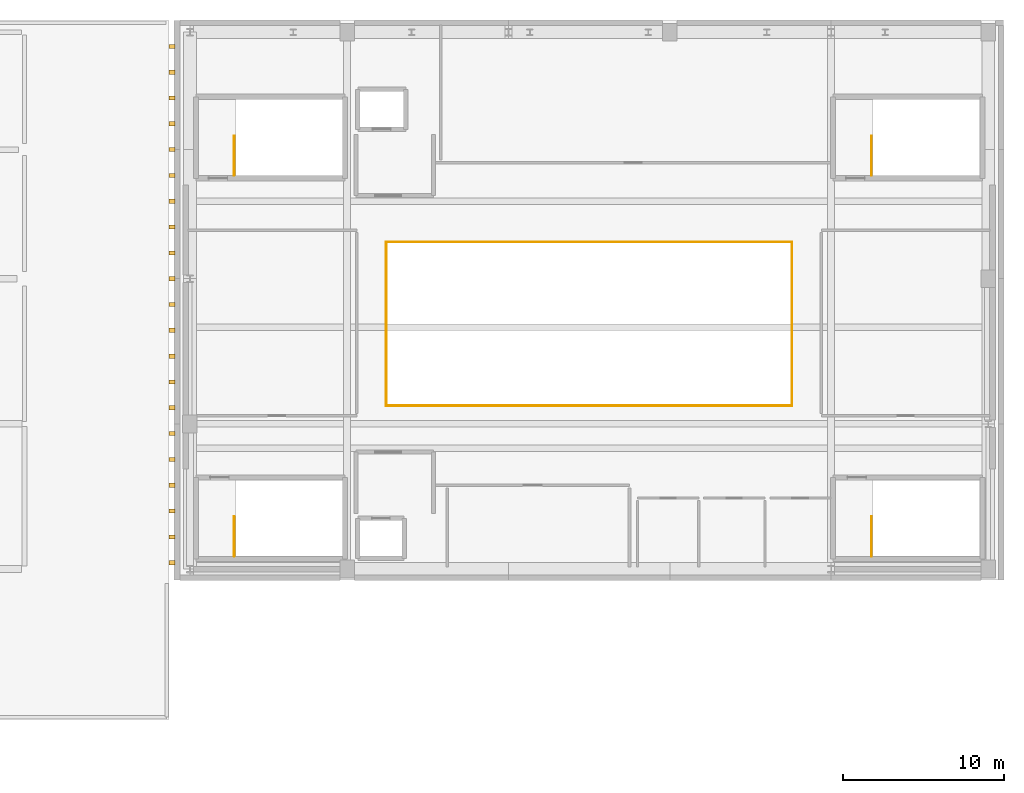
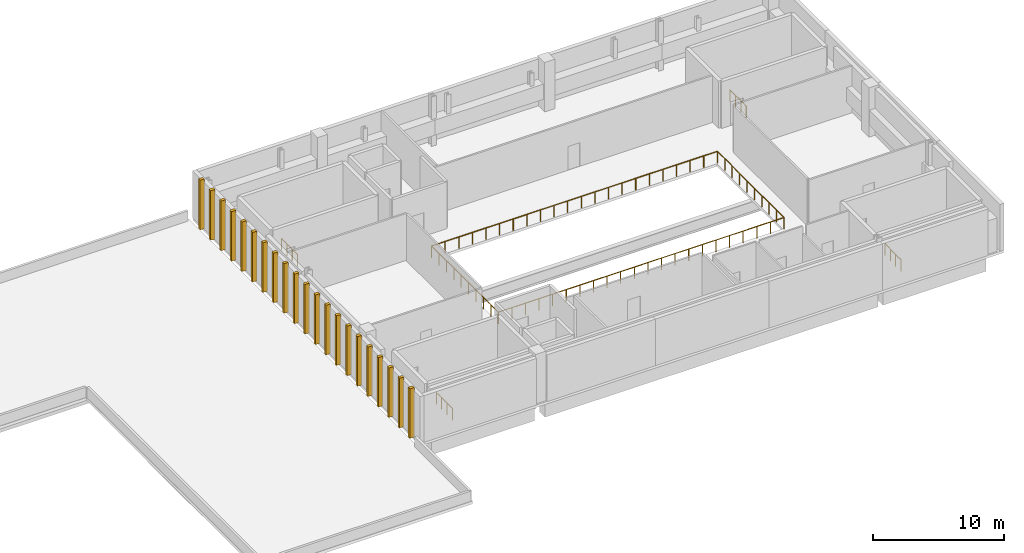
# One storey, part 8 of 8: 21 coverings, 8 railings.
"""IFC4 building model written with IfcOpenShell, lengths in metres."""

from ifc_helpers import new_model, si_unit, direction, frame, origin, origin_2d, place, context, subcontext, project, spatial, rectangle, circle, extrude, material, layer, layer_set, type_object, element, save


model = new_model("IFC4")

# Units and contexts
model_context = context("Model", 3, precision=1e-05, world=origin(), true_north=direction((0.0, 1.0)))
body_context = subcontext(model_context, "Body", "Model", "MODEL_VIEW")
ifc_project = project(units=[si_unit("LENGTHUNIT", "METRE"), si_unit("AREAUNIT", "SQUARE_METRE"), si_unit("VOLUMEUNIT", "CUBIC_METRE"), si_unit("PLANEANGLEUNIT", "RADIAN"), si_unit("MASSUNIT", "GRAM", prefix="KILO")], contexts=[model_context])

# Site, building, storey
site_placement = place(None, origin())
site = spatial("IfcSite", under=ifc_project, at=site_placement, CompositionType="ELEMENT")
building_placement = place(site_placement, origin())
building = spatial("IfcBuilding", under=site, at=building_placement, Name="Trimount Lyric Opera House", CompositionType="ELEMENT")
storey_placement = place(building_placement, frame((0.0, 0.0, 29.60009765625)))
storey = spatial("IfcBuildingStorey", under=building, at=storey_placement, Name="L06", CompositionType="ELEMENT", Elevation=29.60009765625)

# Coverings
ifc_material_1 = material(Name="Extruded Brushed Aluminium Vertical Shed Rib", Category="aluminium")
ifc_layer = layer(ifc_material_1, 0.260009765625)
ifc_layer_set = layer_set([ifc_layer], Name="CLD-RIB1")
covering_type = type_object("IfcCoveringType", Name="CLD-RIB1", PredefinedType="CLADDING", material=ifc_layer_set)
for number, where, z_axis, x_axis, name in (
    (1, (63.14990234375, 84.39990234375, -0.000244140625), (0.0, 0.0, 1.0), (1.0, 0.0, 0.0), "Fly-tower W lower vertical rib 019"),
    (2, (63.14990234375, 86.0, -0.000244140625), (0.0, 0.0, 1.0), (1.0, 0.0, 0.0), "Fly-tower W lower vertical rib 021"),
    (3, (63.14990234375, 87.60009765625, -0.000244140625), (0.0, 0.0, 1.0), (1.0, 0.0, 0.0), "Fly-tower W lower vertical rib 023"),
    (4, (63.14990234375, 89.199951171875, -0.000244140625), (0.0, 0.0, 1.0), (1.0, 0.0, 0.0), "Fly-tower W lower vertical rib 025"),
    (5, (63.14990234375, 90.800048828125, -0.000244140625), (0.0, 0.0, 1.0), (1.0, 0.0, 0.0), "Fly-tower W lower vertical rib 027"),
    (6, (63.14990234375, 92.39990234375, -0.000244140625), (0.0, 0.0, 1.0), (1.0, 0.0, 0.0), "Fly-tower W lower vertical rib 029"),
    (7, (63.14990234375, 94.0, -0.000244140625), (0.0, 0.0, 1.0), (1.0, 0.0, 0.0), "Fly-tower W lower vertical rib 031"),
    (8, (63.14990234375, 95.60009765625, -0.000244140625), (0.0, 0.0, 1.0), (1.0, 0.0, 0.0), "Fly-tower W lower vertical rib 033"),
    (9, (63.14990234375, 97.199951171875, -0.000244140625), (0.0, 0.0, 1.0), (1.0, 0.0, 0.0), "Fly-tower W lower vertical rib 035"),
    (10, (63.14990234375, 98.800048828125, -0.000244140625), (0.0, 0.0, 1.0), (1.0, 0.0, 0.0), "Fly-tower W lower vertical rib 037"),
    (11, (63.14990234375, 100.39990234375, -0.000244140625), (0.0, 0.0, 1.0), (1.0, 0.0, 0.0), "Fly-tower W lower vertical rib 039"),
    (12, (63.14990234375, 102.0, -0.000244140625), (0.0, 0.0, 1.0), (1.0, 0.0, 0.0), "Fly-tower W lower vertical rib 041"),
    (13, (63.14990234375, 103.60009765625, -0.000244140625), (0.0, 0.0, 1.0), (1.0, 0.0, 0.0), "Fly-tower W lower vertical rib 043"),
    (14, (63.14990234375, 105.199951171875, -0.000244140625), (0.0, 0.0, 1.0), (1.0, 0.0, 0.0), "Fly-tower W lower vertical rib 045"),
    (15, (63.14990234375, 106.800048828125, -0.000244140625), (0.0, 0.0, 1.0), (1.0, 0.0, 0.0), "Fly-tower W lower vertical rib 047"),
    (16, (63.14990234375, 108.39990234375, -0.000244140625), (0.0, 0.0, 1.0), (1.0, 0.0, 0.0), "Fly-tower W lower vertical rib 049"),
    (17, (63.14990234375, 110.0, -0.000244140625), (0.0, 0.0, 1.0), (1.0, 0.0, 0.0), "Fly-tower W lower vertical rib 051"),
    (18, (63.14990234375, 111.60009765625, -0.000244140625), (0.0, 0.0, 1.0), (1.0, 0.0, 0.0), "Fly-tower W lower vertical rib 053"),
    (19, (63.14990234375, 113.199951171875, -0.000244140625), (0.0, 0.0, 1.0), (1.0, 0.0, 0.0), "Fly-tower W lower vertical rib 055"),
    (20, (63.14990234375, 114.800048828125, -0.000244140625), (0.0, 0.0, 1.0), (1.0, 0.0, 0.0), "Fly-tower W lower vertical rib 057"),
    (21, (63.14990234375, 116.39990234375, -0.000244140625), (0.0, 0.0, 1.0), (1.0, 0.0, 0.0), "Fly-tower W lower vertical rib 059"),
):
    element("IfcCovering", number, at=place(storey_placement, frame(where, z_axis=z_axis, x_axis=x_axis)), inside=storey, type_object=covering_type, Name=name, PredefinedType="CLADDING", context=body_context, shape_type="SweptSolid", body=[
        extrude(rectangle(XDim=0.3798828125, YDim=0.260009765625, at=origin_2d()), origin(), (0.0, 0.0, 1.0), 4.6201171875),
    ])

# Railings
ifc_material_2 = material(Name="Brushed Stainless Steel 316", Category="steel")
railing_type = type_object("IfcRailingType", Name="RL-GRD110", PredefinedType="GUARDRAIL", material=ifc_material_2)
for number, where, name in (
    (22, (67.0, 108.39990234375, 0.0), "L06 ST-01 top well guard 1"),
    (23, (106.5, 108.39990234375, 0.0), "L06 ST-02 top well guard 1"),
):
    element("IfcRailing", number, at=place(storey_placement, frame(where)), inside=storey, type_object=railing_type, Name=name, PredefinedType="GUARDRAIL", context=body_context, shape_type="SweptSolid", body=[
        extrude(circle(Radius=0.02392578125, at=origin_2d()), frame((0.0, 0.0, 1.076171875), z_axis=(0.0, 1.0, 0.0), x_axis=(-1.0, 0.0, 0.0)), (0.0, 0.0, 1.0), 2.4501953125),
        extrude(circle(Radius=0.02099609375, at=origin_2d()), origin(), (0.0, 0.0, 1.0), 1.052001953125),
        extrude(circle(Radius=0.02099609375, at=origin_2d()), frame((0.0, 0.816650390625, 0.0)), (0.0, 0.0, 1.0), 1.052001953125),
        extrude(circle(Radius=0.02099609375, at=origin_2d()), frame((0.0, 1.633544921875, 0.0)), (0.0, 0.0, 1.0), 1.052001953125),
        extrude(circle(Radius=0.02099609375, at=origin_2d()), frame((0.0, 2.4501953125, 0.0)), (0.0, 0.0, 1.0), 1.052001953125),
    ])
for number, where, name in (
    (24, (67.0, 84.800048828125, 0.0), "L06 ST-03 top well guard 1"),
    (25, (106.5, 84.800048828125, 0.0), "L06 ST-04 top well guard 1"),
):
    element("IfcRailing", number, at=place(storey_placement, frame(where)), inside=storey, type_object=railing_type, Name=name, PredefinedType="GUARDRAIL", context=body_context, shape_type="SweptSolid", body=[
        extrude(circle(Radius=0.02392578125, at=origin_2d()), frame((0.0, 0.0, 1.076171875), z_axis=(0.0, 1.0, 0.0), x_axis=(-1.0, 0.0, 0.0)), (0.0, 0.0, 1.0), 2.449951171875),
        extrude(circle(Radius=0.02099609375, at=origin_2d()), origin(), (0.0, 0.0, 1.0), 1.052001953125),
        extrude(circle(Radius=0.02099609375, at=origin_2d()), frame((0.0, 0.816650390625, 0.0)), (0.0, 0.0, 1.0), 1.052001953125),
        extrude(circle(Radius=0.02099609375, at=origin_2d()), frame((0.0, 1.63330078125, 0.0)), (0.0, 0.0, 1.0), 1.052001953125),
        extrude(circle(Radius=0.02099609375, at=origin_2d()), frame((0.0, 2.449951171875, 0.0)), (0.0, 0.0, 1.0), 1.052001953125),
    ])
railing_1_placement = place(storey_placement, frame((76.419921875, 94.1201171875, 0.0)))
element("IfcRailing", 26, at=railing_1_placement, inside=storey, type_object=railing_type, Name="L06 atrium and balcony guard GRD-FLY-L06-S", PredefinedType="GUARDRAIL", context=body_context, shape_type="SweptSolid", body=[
    extrude(circle(Radius=0.02392578125, at=origin_2d()), frame((0.0, 0.0, 1.076171875), z_axis=(1.0, 0.0, 0.0), x_axis=(0.0, 1.0, 0.0)), (0.0, 0.0, 1.0), 25.16015625),
    extrude(circle(Radius=0.02099609375, at=origin_2d()), origin(), (0.0, 0.0, 1.0), 1.052001953125),
    extrude(circle(Radius=0.02099609375, at=origin_2d()), frame((1.197998046875, 0.0, 0.0)), (0.0, 0.0, 1.0), 1.052001953125),
    extrude(circle(Radius=0.02099609375, at=origin_2d()), frame((2.396240234375, 0.0, 0.0)), (0.0, 0.0, 1.0), 1.052001953125),
    extrude(circle(Radius=0.02099609375, at=origin_2d()), frame((3.59423828125, 0.0, 0.0)), (0.0, 0.0, 1.0), 1.052001953125),
    extrude(circle(Radius=0.02099609375, at=origin_2d()), frame((4.79248046875, 0.0, 0.0)), (0.0, 0.0, 1.0), 1.052001953125),
    extrude(circle(Radius=0.02099609375, at=origin_2d()), frame((5.990478515625, 0.0, 0.0)), (0.0, 0.0, 1.0), 1.052001953125),
    extrude(circle(Radius=0.02099609375, at=origin_2d()), frame((7.188720703125, 0.0, 0.0)), (0.0, 0.0, 1.0), 1.052001953125),
    extrude(circle(Radius=0.02099609375, at=origin_2d()), frame((8.38671875, 0.0, 0.0)), (0.0, 0.0, 1.0), 1.052001953125),
    extrude(circle(Radius=0.02099609375, at=origin_2d()), frame((9.584716796875, 0.0, 0.0)), (0.0, 0.0, 1.0), 1.052001953125),
    extrude(circle(Radius=0.02099609375, at=origin_2d()), frame((10.782958984375, 0.0, 0.0)), (0.0, 0.0, 1.0), 1.052001953125),
    extrude(circle(Radius=0.02099609375, at=origin_2d()), frame((11.98095703125, 0.0, 0.0)), (0.0, 0.0, 1.0), 1.052001953125),
    extrude(circle(Radius=0.02099609375, at=origin_2d()), frame((13.17919921875, 0.0, 0.0)), (0.0, 0.0, 1.0), 1.052001953125),
    extrude(circle(Radius=0.02099609375, at=origin_2d()), frame((14.377197265625, 0.0, 0.0)), (0.0, 0.0, 1.0), 1.052001953125),
    extrude(circle(Radius=0.02099609375, at=origin_2d()), frame((15.575439453125, 0.0, 0.0)), (0.0, 0.0, 1.0), 1.052001953125),
    extrude(circle(Radius=0.02099609375, at=origin_2d()), frame((16.7734375, 0.0, 0.0)), (0.0, 0.0, 1.0), 1.052001953125),
    extrude(circle(Radius=0.02099609375, at=origin_2d()), frame((17.971435546875, 0.0, 0.0)), (0.0, 0.0, 1.0), 1.052001953125),
    extrude(circle(Radius=0.02099609375, at=origin_2d()), frame((19.169677734375, 0.0, 0.0)), (0.0, 0.0, 1.0), 1.052001953125),
    extrude(circle(Radius=0.02099609375, at=origin_2d()), frame((20.36767578125, 0.0, 0.0)), (0.0, 0.0, 1.0), 1.052001953125),
    extrude(circle(Radius=0.02099609375, at=origin_2d()), frame((21.56591796875, 0.0, 0.0)), (0.0, 0.0, 1.0), 1.052001953125),
    extrude(circle(Radius=0.02099609375, at=origin_2d()), frame((22.763916015625, 0.0, 0.0)), (0.0, 0.0, 1.0), 1.052001953125),
    extrude(circle(Radius=0.02099609375, at=origin_2d()), frame((23.962158203125, 0.0, 0.0)), (0.0, 0.0, 1.0), 1.052001953125),
    extrude(circle(Radius=0.02099609375, at=origin_2d()), frame((25.16015625, 0.0, 0.0)), (0.0, 0.0, 1.0), 1.052001953125),
])
railing_2_placement = place(storey_placement, frame((101.580078125, 94.1201171875, 0.0)))
element("IfcRailing", 27, at=railing_2_placement, inside=storey, type_object=railing_type, Name="L06 atrium and balcony guard GRD-FLY-L06-E", PredefinedType="GUARDRAIL", context=body_context, shape_type="SweptSolid", body=[
    extrude(circle(Radius=0.02392578125, at=origin_2d()), frame((0.0, 0.0, 1.076171875), z_axis=(0.0, 1.0, 0.0), x_axis=(-1.0, 0.0, 0.0)), (0.0, 0.0, 1.0), 10.159912109375),
    extrude(circle(Radius=0.02099609375, at=origin_2d()), origin(), (0.0, 0.0, 1.0), 1.052001953125),
    extrude(circle(Radius=0.02099609375, at=origin_2d()), frame((0.0, 1.12890625, 0.0)), (0.0, 0.0, 1.0), 1.052001953125),
    extrude(circle(Radius=0.02099609375, at=origin_2d()), frame((0.0, 2.2578125, 0.0)), (0.0, 0.0, 1.0), 1.052001953125),
    extrude(circle(Radius=0.02099609375, at=origin_2d()), frame((0.0, 3.38671875, 0.0)), (0.0, 0.0, 1.0), 1.052001953125),
    extrude(circle(Radius=0.02099609375, at=origin_2d()), frame((0.0, 4.515625, 0.0)), (0.0, 0.0, 1.0), 1.052001953125),
    extrude(circle(Radius=0.02099609375, at=origin_2d()), frame((0.0, 5.644287109375, 0.0)), (0.0, 0.0, 1.0), 1.052001953125),
    extrude(circle(Radius=0.02099609375, at=origin_2d()), frame((0.0, 6.773193359375, 0.0)), (0.0, 0.0, 1.0), 1.052001953125),
    extrude(circle(Radius=0.02099609375, at=origin_2d()), frame((0.0, 7.902099609375, 0.0)), (0.0, 0.0, 1.0), 1.052001953125),
    extrude(circle(Radius=0.02099609375, at=origin_2d()), frame((0.0, 9.031005859375, 0.0)), (0.0, 0.0, 1.0), 1.052001953125),
    extrude(circle(Radius=0.02099609375, at=origin_2d()), frame((0.0, 10.159912109375, 0.0)), (0.0, 0.0, 1.0), 1.052001953125),
])
railing_3_placement = place(storey_placement, frame((101.580078125, 104.280029296875, 0.0)))
element("IfcRailing", 28, at=railing_3_placement, inside=storey, type_object=railing_type, Name="L06 atrium and balcony guard GRD-FLY-L06-N", PredefinedType="GUARDRAIL", context=body_context, shape_type="SweptSolid", body=[
    extrude(circle(Radius=0.02392578125, at=origin_2d()), frame((0.0, 0.0, 1.076171875), z_axis=(-1.0, 0.0, 0.0), x_axis=(0.0, -1.0, 0.0)), (0.0, 0.0, 1.0), 25.16015625),
    extrude(circle(Radius=0.02099609375, at=origin_2d()), origin(), (0.0, 0.0, 1.0), 1.052001953125),
    extrude(circle(Radius=0.02099609375, at=origin_2d()), frame((-1.197998046875, 0.0, 0.0)), (0.0, 0.0, 1.0), 1.052001953125),
    extrude(circle(Radius=0.02099609375, at=origin_2d()), frame((-2.396240234375, 0.0, 0.0)), (0.0, 0.0, 1.0), 1.052001953125),
    extrude(circle(Radius=0.02099609375, at=origin_2d()), frame((-3.59423828125, 0.0, 0.0)), (0.0, 0.0, 1.0), 1.052001953125),
    extrude(circle(Radius=0.02099609375, at=origin_2d()), frame((-4.79248046875, 0.0, 0.0)), (0.0, 0.0, 1.0), 1.052001953125),
    extrude(circle(Radius=0.02099609375, at=origin_2d()), frame((-5.990478515625, 0.0, 0.0)), (0.0, 0.0, 1.0), 1.052001953125),
    extrude(circle(Radius=0.02099609375, at=origin_2d()), frame((-7.188720703125, 0.0, 0.0)), (0.0, 0.0, 1.0), 1.052001953125),
    extrude(circle(Radius=0.02099609375, at=origin_2d()), frame((-8.38671875, 0.0, 0.0)), (0.0, 0.0, 1.0), 1.052001953125),
    extrude(circle(Radius=0.02099609375, at=origin_2d()), frame((-9.584716796875, 0.0, 0.0)), (0.0, 0.0, 1.0), 1.052001953125),
    extrude(circle(Radius=0.02099609375, at=origin_2d()), frame((-10.782958984375, 0.0, 0.0)), (0.0, 0.0, 1.0), 1.052001953125),
    extrude(circle(Radius=0.02099609375, at=origin_2d()), frame((-11.98095703125, 0.0, 0.0)), (0.0, 0.0, 1.0), 1.052001953125),
    extrude(circle(Radius=0.02099609375, at=origin_2d()), frame((-13.17919921875, 0.0, 0.0)), (0.0, 0.0, 1.0), 1.052001953125),
    extrude(circle(Radius=0.02099609375, at=origin_2d()), frame((-14.377197265625, 0.0, 0.0)), (0.0, 0.0, 1.0), 1.052001953125),
    extrude(circle(Radius=0.02099609375, at=origin_2d()), frame((-15.575439453125, 0.0, 0.0)), (0.0, 0.0, 1.0), 1.052001953125),
    extrude(circle(Radius=0.02099609375, at=origin_2d()), frame((-16.7734375, 0.0, 0.0)), (0.0, 0.0, 1.0), 1.052001953125),
    extrude(circle(Radius=0.02099609375, at=origin_2d()), frame((-17.971435546875, 0.0, 0.0)), (0.0, 0.0, 1.0), 1.052001953125),
    extrude(circle(Radius=0.02099609375, at=origin_2d()), frame((-19.169677734375, 0.0, 0.0)), (0.0, 0.0, 1.0), 1.052001953125),
    extrude(circle(Radius=0.02099609375, at=origin_2d()), frame((-20.36767578125, 0.0, 0.0)), (0.0, 0.0, 1.0), 1.052001953125),
    extrude(circle(Radius=0.02099609375, at=origin_2d()), frame((-21.56591796875, 0.0, 0.0)), (0.0, 0.0, 1.0), 1.052001953125),
    extrude(circle(Radius=0.02099609375, at=origin_2d()), frame((-22.763916015625, 0.0, 0.0)), (0.0, 0.0, 1.0), 1.052001953125),
    extrude(circle(Radius=0.02099609375, at=origin_2d()), frame((-23.962158203125, 0.0, 0.0)), (0.0, 0.0, 1.0), 1.052001953125),
    extrude(circle(Radius=0.02099609375, at=origin_2d()), frame((-25.16015625, 0.0, 0.0)), (0.0, 0.0, 1.0), 1.052001953125),
])
railing_4_placement = place(storey_placement, frame((76.419921875, 104.280029296875, 0.0)))
element("IfcRailing", 29, at=railing_4_placement, inside=storey, type_object=railing_type, Name="L06 atrium and balcony guard GRD-FLY-L06-W", PredefinedType="GUARDRAIL", context=body_context, shape_type="SweptSolid", body=[
    extrude(circle(Radius=0.02392578125, at=origin_2d()), frame((0.0, 0.0, 1.076171875), z_axis=(0.0, -1.0, 0.0), x_axis=(1.0, 0.0, 0.0)), (0.0, 0.0, 1.0), 10.159912109375),
    extrude(circle(Radius=0.02099609375, at=origin_2d()), origin(), (0.0, 0.0, 1.0), 1.052001953125),
    extrude(circle(Radius=0.02099609375, at=origin_2d()), frame((0.0, -1.12890625, 0.0)), (0.0, 0.0, 1.0), 1.052001953125),
    extrude(circle(Radius=0.02099609375, at=origin_2d()), frame((0.0, -2.2578125, 0.0)), (0.0, 0.0, 1.0), 1.052001953125),
    extrude(circle(Radius=0.02099609375, at=origin_2d()), frame((0.0, -3.38671875, 0.0)), (0.0, 0.0, 1.0), 1.052001953125),
    extrude(circle(Radius=0.02099609375, at=origin_2d()), frame((0.0, -4.515625, 0.0)), (0.0, 0.0, 1.0), 1.052001953125),
    extrude(circle(Radius=0.02099609375, at=origin_2d()), frame((0.0, -5.644287109375, 0.0)), (0.0, 0.0, 1.0), 1.052001953125),
    extrude(circle(Radius=0.02099609375, at=origin_2d()), frame((0.0, -6.773193359375, 0.0)), (0.0, 0.0, 1.0), 1.052001953125),
    extrude(circle(Radius=0.02099609375, at=origin_2d()), frame((0.0, -7.902099609375, 0.0)), (0.0, 0.0, 1.0), 1.052001953125),
    extrude(circle(Radius=0.02099609375, at=origin_2d()), frame((0.0, -9.031005859375, 0.0)), (0.0, 0.0, 1.0), 1.052001953125),
    extrude(circle(Radius=0.02099609375, at=origin_2d()), frame((0.0, -10.159912109375, 0.0)), (0.0, 0.0, 1.0), 1.052001953125),
])

save(model, "model.ifc")
